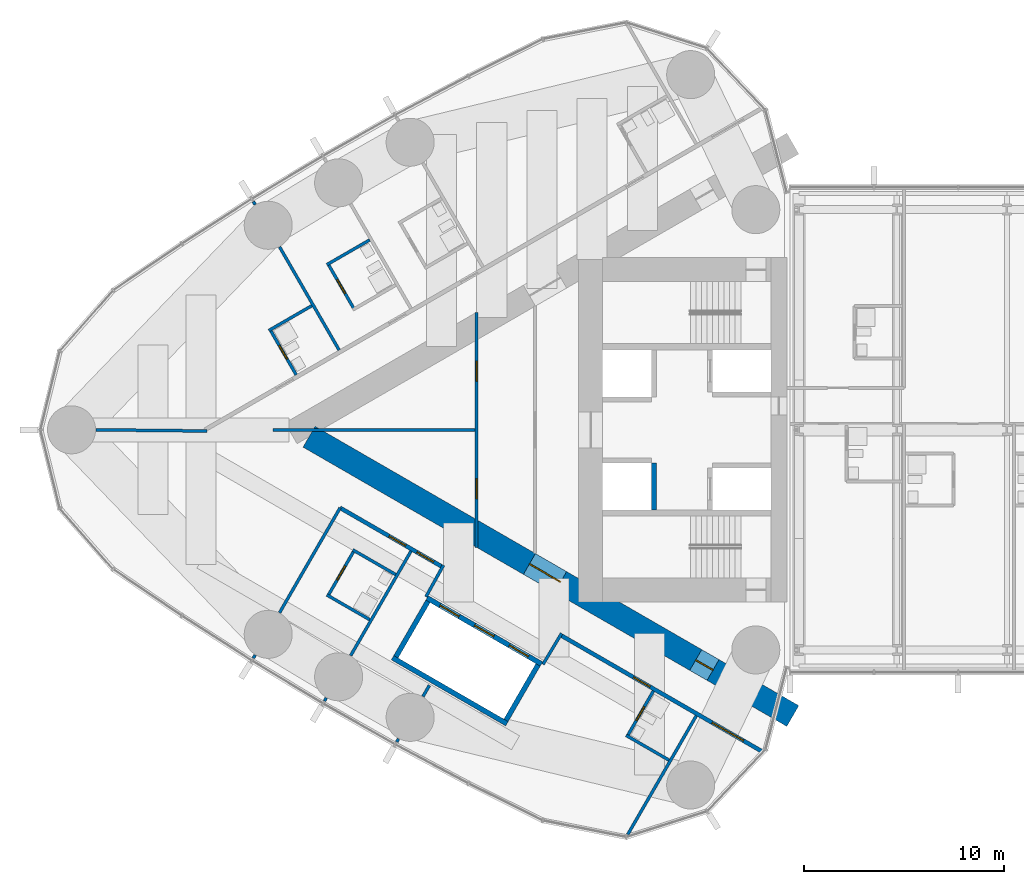
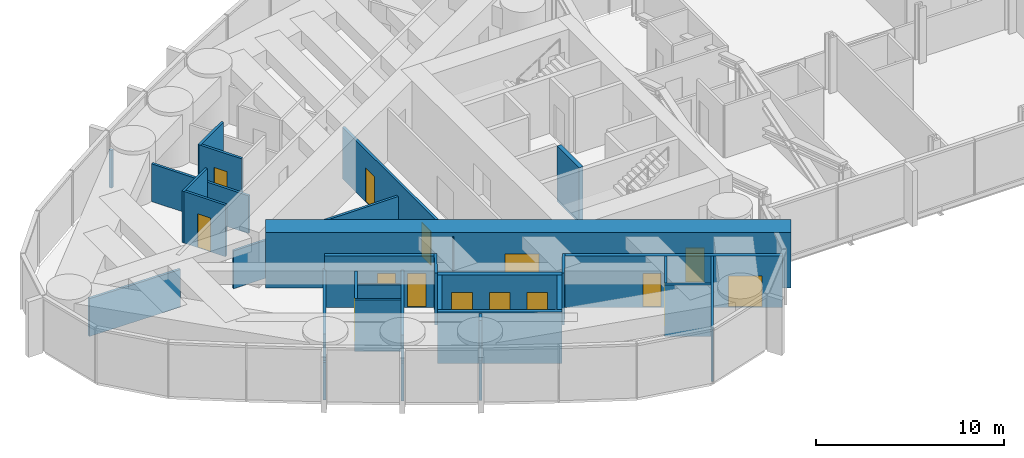
# One storey, part 15 of 23: 31 walls, 15 doors, 15 openings.
"""IFC4 building model written with IfcOpenShell, lengths in metres."""

from ifc_helpers import new_model, si_unit, direction, frame, frame_2d, origin, place, context, subcontext, project, spatial, rectangle, extrude, material, layer, layer_set, type_object, element, fill, save


model = new_model("IFC4")

# Units and contexts
model_context = context("Model", 3, precision=1e-05, world=origin(), true_north=direction((0.0, 1.0)))
body_context = subcontext(model_context, "Body", "Model", "MODEL_VIEW")
ifc_project = project(units=[si_unit("LENGTHUNIT", "METRE"), si_unit("AREAUNIT", "SQUARE_METRE"), si_unit("VOLUMEUNIT", "CUBIC_METRE"), si_unit("PLANEANGLEUNIT", "RADIAN"), si_unit("MASSUNIT", "GRAM", prefix="KILO")], contexts=[model_context])

# Site, building, storey
site_placement = place(None, origin())
site = spatial("IfcSite", under=ifc_project, at=site_placement, CompositionType="ELEMENT")
building_placement = place(site_placement, origin())
building = spatial("IfcBuilding", under=site, at=building_placement, Name="Lancet Gate Hotel", CompositionType="ELEMENT")
storey_placement = place(building_placement, frame((0.0, 0.0, 240.5)))
storey = spatial("IfcBuildingStorey", under=building, at=storey_placement, Name="L64", CompositionType="ELEMENT", Elevation=240.5)

# Wall
ifc_material_1 = material(Name="Moisture resistant board partition")
ifc_layer_1 = layer(ifc_material_1, 0.14990234375)
ifc_layer_set_1 = layer_set([ifc_layer_1], Name="Bathroom wall 150")
wall_type_1 = type_object("IfcWallType", Name="Bathroom wall 150", PredefinedType="PARTITIONING", material=ifc_layer_set_1)
wall_1_placement = place(storey_placement, frame((-48.338623046875, 9.485595703125, 0.0), z_axis=(0.0, 0.0, 1.0), x_axis=(-0.866006523861, -0.500032699561, 0.0)))
element("IfcWall", 1, at=wall_1_placement, inside=storey, type_object=wall_type_1, Name="T1 bathroom wall 150 L64", PredefinedType="PARTITIONING", context=body_context, shape_type="SweptSolid", body=[
    extrude(rectangle(XDim=2.474853515625, YDim=0.14990234375, at=frame_2d((1.2373046875, 0.0))), origin(), (0.0, 0.0, 1.0), 3.35009765625),
])

# Wall, opening, door
wall_2_placement = place(storey_placement, frame((-49.116943359375, 6.033935546875, 0.0), z_axis=(0.0, 0.0, 1.0), x_axis=(-0.500006934395, 0.866021400173, 0.0)))
wall_2 = element("IfcWall", 2, at=wall_2_placement, inside=storey, type_object=wall_type_1, Name="T1 bathroom wall 150 L64", PredefinedType="PARTITIONING", context=body_context, shape_type="SweptSolid", body=[
    extrude(rectangle(XDim=2.60009765625, YDim=0.14990234375, at=frame_2d((1.300048828125, 0.0))), origin(), (0.0, 0.0, 1.0), 3.35009765625),
])
opening_1_placement = place(wall_2_placement, frame((0.89990234375, 0.0, 0.0)))
opening_1 = element("IfcOpeningElement", 3, at=opening_1_placement, cuts=wall_2, Name="Opening 6404-B", PredefinedType="OPENING", context=body_context, shape_type="SweptSolid", body=[
    extrude(rectangle(XDim=0.800048828125, YDim=2.199951171875, at=frame_2d((0.39990234375, 1.10009765625))), frame((0.0, 0.0849609375, 0.0), z_axis=(0.0, -1.0, 0.0), x_axis=(1.0, 0.0, 0.0)), (0.0, 0.0, 1.0), 0.169921875),
])
ifc_material_2 = material(Name="Timber door set", Category="wood")
door_type_1 = type_object("IfcDoorType", Name="Bathroom door 800", OperationType="SINGLE_SWING_RIGHT", PredefinedType="DOOR", material=ifc_material_2)
door_1_placement = place(opening_1_placement, origin())
door_1 = element("IfcDoor", 4, at=door_1_placement, inside=storey, type_object=door_type_1, Name="6404-B", OperationType="SINGLE_SWING_RIGHT", OverallHeight=2.199951171875, OverallWidth=0.800048828125, PredefinedType="DOOR", context=body_context, shape_type="SweptSolid", body=[
    extrude(rectangle(XDim=0.800048828125, YDim=2.199951171875, at=frame_2d((0.39990234375, 1.10009765625))), frame((0.0, 0.02490234375, 0.0), z_axis=(0.0, -1.0, 0.0), x_axis=(1.0, 0.0, 0.0)), (0.0, 0.0, 1.0), 0.050048828125),
])
fill(opening_1, door_1)

# Wall
wall_3_placement = place(storey_placement, frame((-51.231201171875, 6.198974609375, 0.0), z_axis=(0.0, 0.0, 1.0), x_axis=(-0.866031185235, -0.4999899861, 0.0)))
element("IfcWall", 5, at=wall_3_placement, inside=storey, type_object=wall_type_1, Name="T1 bathroom wall 150 L64", PredefinedType="PARTITIONING", context=body_context, shape_type="SweptSolid", body=[
    extrude(rectangle(XDim=2.47509765625, YDim=0.14990234375, at=frame_2d((1.237548828125, 0.0))), origin(), (0.0, 0.0, 1.0), 3.35009765625),
])

# Wall, opening, door
wall_4_placement = place(storey_placement, frame((-52.009765625, 2.747314453125, 0.0), z_axis=(0.0, 0.0, 1.0), x_axis=(-0.500006934395, 0.866021400173, 0.0)))
wall_4 = element("IfcWall", 6, at=wall_4_placement, inside=storey, type_object=wall_type_1, Name="T1 bathroom wall 150 L64", PredefinedType="PARTITIONING", context=body_context, shape_type="SweptSolid", body=[
    extrude(rectangle(XDim=2.60009765625, YDim=0.14990234375, at=frame_2d((1.300048828125, 0.0))), origin(), (0.0, 0.0, 1.0), 3.35009765625),
])
opening_2_placement = place(wall_4_placement, frame((0.89990234375, 0.0, 0.0)))
opening_2 = element("IfcOpeningElement", 7, at=opening_2_placement, cuts=wall_4, Name="Opening 6405-B", PredefinedType="OPENING", context=body_context, shape_type="SweptSolid", body=[
    extrude(rectangle(XDim=0.800048828125, YDim=2.199951171875, at=frame_2d((0.39990234375, 1.10009765625))), frame((0.0, 0.0849609375, 0.0), z_axis=(0.0, -1.0, 0.0), x_axis=(1.0, 0.0, 0.0)), (0.0, 0.0, 1.0), 0.169921875),
])
door_2_placement = place(opening_2_placement, origin())
door_2 = element("IfcDoor", 8, at=door_2_placement, inside=storey, type_object=door_type_1, Name="6405-B", OperationType="SINGLE_SWING_RIGHT", OverallHeight=2.199951171875, OverallWidth=0.800048828125, PredefinedType="DOOR", context=body_context, shape_type="SweptSolid", body=[
    extrude(rectangle(XDim=0.800048828125, YDim=2.199951171875, at=frame_2d((0.39990234375, 1.10009765625))), frame((0.0, 0.02490234375, 0.0), z_axis=(0.0, -1.0, 0.0), x_axis=(1.0, 0.0, 0.0)), (0.0, 0.0, 1.0), 0.050048828125),
])
fill(opening_2, door_2)

# Wall
wall_5_placement = place(storey_placement, frame((-48.338623046875, -9.485595703125, 0.0), z_axis=(0.0, 0.0, 1.0), x_axis=(-0.866006523861, 0.500032699561, 0.0)))
element("IfcWall", 9, at=wall_5_placement, inside=storey, type_object=wall_type_1, Name="T1 bathroom wall 150 L64", PredefinedType="PARTITIONING", context=body_context, shape_type="SweptSolid", body=[
    extrude(rectangle(XDim=2.474853515625, YDim=0.14990234375, at=frame_2d((1.2373046875, 0.0))), origin(), (0.0, 0.0, 1.0), 3.35009765625),
])

# Wall, opening, door
wall_6_placement = place(storey_placement, frame((-49.116943359375, -6.033935546875, 0.0), z_axis=(0.0, 0.0, 1.0), x_axis=(-0.500006934395, -0.866021400173, 0.0)))
wall_6 = element("IfcWall", 10, at=wall_6_placement, inside=storey, type_object=wall_type_1, Name="T1 bathroom wall 150 L64", PredefinedType="PARTITIONING", context=body_context, shape_type="SweptSolid", body=[
    extrude(rectangle(XDim=2.60009765625, YDim=0.14990234375, at=frame_2d((1.300048828125, 0.0))), origin(), (0.0, 0.0, 1.0), 3.35009765625),
])
opening_3_placement = place(wall_6_placement, frame((0.89990234375, 0.0, 0.0)))
opening_3 = element("IfcOpeningElement", 11, at=opening_3_placement, cuts=wall_6, Name="Opening 6407-B", PredefinedType="OPENING", context=body_context, shape_type="SweptSolid", body=[
    extrude(rectangle(XDim=0.800048828125, YDim=2.199951171875, at=frame_2d((0.39990234375, 1.10009765625))), frame((0.0, 0.0849609375, 0.0), z_axis=(0.0, -1.0, 0.0), x_axis=(1.0, 0.0, 0.0)), (0.0, 0.0, 1.0), 0.169921875),
])
door_3_placement = place(opening_3_placement, origin())
door_3 = element("IfcDoor", 12, at=door_3_placement, inside=storey, type_object=door_type_1, Name="6407-B", OperationType="SINGLE_SWING_RIGHT", OverallHeight=2.199951171875, OverallWidth=0.800048828125, PredefinedType="DOOR", context=body_context, shape_type="SweptSolid", body=[
    extrude(rectangle(XDim=0.800048828125, YDim=2.199951171875, at=frame_2d((0.39990234375, 1.10009765625))), frame((0.0, 0.02490234375, 0.0), z_axis=(0.0, -1.0, 0.0), x_axis=(1.0, 0.0, 0.0)), (0.0, 0.0, 1.0), 0.050048828125),
])
fill(opening_3, door_3)

# Walls
wall_7_placement = place(storey_placement, frame((-47.03857421875, -7.23388671875, 0.0), z_axis=(0.0, 0.0, 1.0), x_axis=(-0.866073894602, 0.499916002032, 0.0)))
element("IfcWall", 13, at=wall_7_placement, inside=storey, type_object=wall_type_1, Name="T1 bathroom wall 150 L64", PredefinedType="PARTITIONING", context=body_context, shape_type="SweptSolid", body=[
    extrude(rectangle(XDim=2.47509765625, YDim=0.14990234375, at=frame_2d((1.237548828125, 0.0))), origin(), (0.0, 0.0, 1.0), 2.5),
])
wall_8_placement = place(storey_placement, frame((-33.38671875, -16.501708984375, 0.0), z_axis=(0.0, 0.0, 1.0), x_axis=(-0.866006523861, 0.500032699561, 0.0)))
element("IfcWall", 14, at=wall_8_placement, inside=storey, type_object=wall_type_1, Name="T1 bathroom wall 150 L64", PredefinedType="PARTITIONING", context=body_context, shape_type="SweptSolid", body=[
    extrude(rectangle(XDim=2.474853515625, YDim=0.14990234375, at=frame_2d((1.2373046875, 0.0))), origin(), (0.0, 0.0, 1.0), 3.35009765625),
])

# Wall, opening, door
wall_9_placement = place(storey_placement, frame((-34.1650390625, -13.050048828125, 0.0), z_axis=(0.0, 0.0, 1.0), x_axis=(-0.500047596559, -0.865997922154, 0.0)))
wall_9 = element("IfcWall", 15, at=wall_9_placement, inside=storey, type_object=wall_type_1, Name="T1 bathroom wall 150 L64", PredefinedType="PARTITIONING", context=body_context, shape_type="SweptSolid", body=[
    extrude(rectangle(XDim=2.599853515625, YDim=0.14990234375, at=frame_2d((1.2998046875, 0.0))), origin(), (0.0, 0.0, 1.0), 3.35009765625),
])
opening_4_placement = place(wall_9_placement, frame((0.89990234375, 0.0, 0.0)))
opening_4 = element("IfcOpeningElement", 16, at=opening_4_placement, cuts=wall_9, Name="Opening 6409-B", PredefinedType="OPENING", context=body_context, shape_type="SweptSolid", body=[
    extrude(rectangle(XDim=0.800048828125, YDim=2.199951171875, at=frame_2d((0.39990234375, 1.10009765625))), frame((0.0, 0.0849609375, 0.0), z_axis=(0.0, -1.0, 0.0), x_axis=(1.0, 0.0, 0.0)), (0.0, 0.0, 1.0), 0.169921875),
])
door_4_placement = place(opening_4_placement, origin())
door_4 = element("IfcDoor", 17, at=door_4_placement, inside=storey, type_object=door_type_1, Name="6409-B", OperationType="SINGLE_SWING_RIGHT", OverallHeight=2.199951171875, OverallWidth=0.800048828125, PredefinedType="DOOR", context=body_context, shape_type="SweptSolid", body=[
    extrude(rectangle(XDim=0.800048828125, YDim=2.199951171875, at=frame_2d((0.39990234375, 1.10009765625))), frame((0.0, 0.02490234375, 0.0), z_axis=(0.0, -1.0, 0.0), x_axis=(1.0, 0.0, 0.0)), (0.0, 0.0, 1.0), 0.050048828125),
])
fill(opening_4, door_4)

# Wall, openings, doors
ifc_material_3 = material(Name="Concrete C70/85", Category="concrete")
ifc_layer_2 = layer(ifc_material_3, 1.199951171875)
ifc_layer_set_2 = layer_set([ifc_layer_2], Name="Buttress wall 1200")
wall_type_2 = type_object("IfcWallType", Name="Buttress wall 1200", PredefinedType="SHEAR", material=ifc_layer_set_2)
wall_10_placement = place(storey_placement, frame((-27.199951171875, -14.300048828125, 0.0), z_axis=(0.0, 0.0, 1.0), x_axis=(-0.866024021859, 0.500002393557, 0.0)))
wall_10 = element("IfcWall", 18, at=wall_10_placement, inside=storey, type_object=wall_type_2, Name="T1 buttress wall N L64", PredefinedType="SHEAR", context=body_context, shape_type="SweptSolid", body=[
    extrude(rectangle(XDim=27.906982421875, YDim=1.199951171875, at=frame_2d((13.95361328125, 0.0))), origin(), (0.0, 0.0, 1.0), 3.60009765625),
])
opening_5_placement = place(wall_10_placement, frame((4.60009765625, 0.0, 0.0)))
opening_5 = element("IfcOpeningElement", 19, at=opening_5_placement, cuts=wall_10, Name="Opening T1-L64-LN", PredefinedType="OPENING", context=body_context, shape_type="SweptSolid", body=[
    extrude(rectangle(XDim=1.0, YDim=2.199951171875, at=frame_2d((0.5, 1.10009765625))), frame((0.0, 0.60986328125, 0.0), z_axis=(0.0, -1.0, 0.0), x_axis=(1.0, 0.0, 0.0)), (0.0, 0.0, 1.0), 1.219970703125),
])
opening_6_placement = place(wall_10_placement, frame((13.39453125, 0.0, 0.0)))
opening_6 = element("IfcOpeningElement", 20, at=opening_6_placement, cuts=wall_10, Name="Opening T1-L64-LHN", PredefinedType="OPENING", context=body_context, shape_type="SweptSolid", body=[
    extrude(rectangle(XDim=1.800048828125, YDim=2.199951171875, at=frame_2d((0.89990234375, 1.10009765625))), frame((0.0, 0.60986328125, 0.0), z_axis=(0.0, -1.0, 0.0), x_axis=(1.0, 0.0, 0.0)), (0.0, 0.0, 1.0), 1.219970703125),
])
ifc_material_4 = material(Name="Timber door set", Category="wood")
door_type_2 = type_object("IfcDoorType", Name="Lobby double door 1800", OperationType="DOUBLE_DOOR_SINGLE_SWING", PredefinedType="DOOR", material=ifc_material_4)
door_5_placement = place(opening_6_placement, origin())
door_5 = element("IfcDoor", 21, at=door_5_placement, inside=storey, type_object=door_type_2, Name="T1-L64-LHN", OperationType="DOUBLE_DOOR_SINGLE_SWING", OverallHeight=2.199951171875, OverallWidth=1.800048828125, PredefinedType="DOOR", context=body_context, shape_type="SweptSolid", body=[
    extrude(rectangle(XDim=1.800048828125, YDim=2.199951171875, at=frame_2d((0.89990234375, 1.10009765625))), frame((0.0, 0.02490234375, 0.0), z_axis=(0.0, -1.0, 0.0), x_axis=(1.0, 0.0, 0.0)), (0.0, 0.0, 1.0), 0.050048828125),
])
fill(opening_6, door_5)
ifc_material_5 = material(Name="Timber door set", Category="wood")
door_type_3 = type_object("IfcDoorType", Name="Stair lobby door 1000", OperationType="SINGLE_SWING_LEFT", PredefinedType="DOOR", material=ifc_material_5)
door_6_placement = place(opening_5_placement, origin())
door_6 = element("IfcDoor", 22, at=door_6_placement, inside=storey, type_object=door_type_3, Name="T1-L64-LN", OperationType="SINGLE_SWING_LEFT", OverallHeight=2.199951171875, OverallWidth=1.0, PredefinedType="DOOR", context=body_context, shape_type="SweptSolid", body=[
    extrude(rectangle(XDim=1.0, YDim=2.199951171875, at=frame_2d((0.5, 1.10009765625))), frame((0.0, 0.02490234375, 0.0), z_axis=(0.0, -1.0, 0.0), x_axis=(1.0, 0.0, 0.0)), (0.0, 0.0, 1.0), 0.050048828125),
])
fill(opening_5, door_6)

ifc_material_6 = material(Name="Gypsum board partition")
ifc_layer_3 = layer(ifc_material_6, 0.199951171875)
ifc_layer_set_3 = layer_set([ifc_layer_3], Name="Corridor wall 200")
wall_type_3 = type_object("IfcWallType", Name="Corridor wall 200", PredefinedType="PARTITIONING", material=ifc_layer_set_3)
wall_11_placement = place(storey_placement, frame((-28.737060546875, -16.068359375, 0.0), z_axis=(0.0, 0.0, 1.0), x_axis=(-0.866029399323, 0.49999307946, 0.0)))
wall_11 = element("IfcWall", 23, at=wall_11_placement, inside=storey, type_object=wall_type_3, Name="T1 corridor wall 200 L64", PredefinedType="PARTITIONING", context=body_context, shape_type="SweptSolid", body=[
    extrude(rectangle(XDim=11.609619140625, YDim=0.199951171875, at=frame_2d((5.8046875, 0.0))), origin(), (0.0, 0.0, 1.0), 3.35009765625),
])
opening_7_placement = place(wall_11_placement, frame((1.080078125, 0.0, 0.0)))
opening_7 = element("IfcOpeningElement", 24, at=opening_7_placement, cuts=wall_11, Name="Opening 6410-E", PredefinedType="OPENING", context=body_context, shape_type="SweptSolid", body=[
    extrude(rectangle(XDim=1.800048828125, YDim=2.030029296875, at=frame_2d((0.89990234375, 1.01513671875))), frame((0.0, 0.10986328125, 0.0), z_axis=(0.0, -1.0, 0.0), x_axis=(1.0, 0.0, 0.0)), (0.0, 0.0, 1.0), 0.219970703125),
])
opening_8_placement = place(wall_11_placement, frame((6.460205078125, 0.0, 0.0)))
opening_8 = element("IfcOpeningElement", 25, at=opening_8_placement, cuts=wall_11, Name="Opening 6409-E", PredefinedType="OPENING", context=body_context, shape_type="SweptSolid", body=[
    extrude(rectangle(XDim=0.949951171875, YDim=2.199951171875, at=frame_2d((0.47509765625, 1.10009765625))), frame((0.0, 0.10986328125, 0.0), z_axis=(0.0, -1.0, 0.0), x_axis=(1.0, 0.0, 0.0)), (0.0, 0.0, 1.0), 0.219970703125),
])
ifc_material_7 = material(Name="Timber door set", Category="wood")
door_type_4 = type_object("IfcDoorType", Name="Double door 1800, 2030 high", OperationType="DOUBLE_DOOR_SINGLE_SWING", PredefinedType="DOOR", material=ifc_material_7)
door_7_placement = place(opening_7_placement, origin())
door_7 = element("IfcDoor", 26, at=door_7_placement, inside=storey, type_object=door_type_4, Name="6410-E", OperationType="DOUBLE_DOOR_SINGLE_SWING", OverallHeight=2.030029296875, OverallWidth=1.800048828125, PredefinedType="DOOR", context=body_context, shape_type="SweptSolid", body=[
    extrude(rectangle(XDim=1.800048828125, YDim=2.030029296875, at=frame_2d((0.89990234375, 1.01513671875))), frame((0.0, 0.02490234375, 0.0), z_axis=(0.0, -1.0, 0.0), x_axis=(1.0, 0.0, 0.0)), (0.0, 0.0, 1.0), 0.050048828125),
])
fill(opening_7, door_7)
ifc_material_8 = material(Name="Timber door set", Category="wood")
door_type_5 = type_object("IfcDoorType", Name="Guest room entry door 950", OperationType="SINGLE_SWING_LEFT", PredefinedType="DOOR", material=ifc_material_8)
door_8_placement = place(opening_8_placement, origin())
door_8 = element("IfcDoor", 27, at=door_8_placement, inside=storey, type_object=door_type_5, Name="6409-E", OperationType="SINGLE_SWING_LEFT", OverallHeight=2.199951171875, OverallWidth=0.949951171875, PredefinedType="DOOR", context=body_context, shape_type="SweptSolid", body=[
    extrude(rectangle(XDim=0.949951171875, YDim=2.199951171875, at=frame_2d((0.47509765625, 1.10009765625))), frame((0.0, 0.02490234375, 0.0), z_axis=(0.0, -1.0, 0.0), x_axis=(1.0, 0.0, 0.0)), (0.0, 0.0, 1.0), 0.050048828125),
])
fill(opening_8, door_8)

wall_12_placement = place(storey_placement, frame((-44.715087890625, -6.843505859375, 0.0), z_axis=(0.0, 0.0, 1.0), x_axis=(-0.866020627653, 0.50000827241, 0.0)))
wall_12 = element("IfcWall", 28, at=wall_12_placement, inside=storey, type_object=wall_type_3, Name="T1 corridor wall 200 L64", PredefinedType="PARTITIONING", context=body_context, shape_type="SweptSolid", body=[
    extrude(rectangle(XDim=5.890625, YDim=0.199951171875, at=frame_2d((2.9453125, 0.0))), origin(), (0.0, 0.0, 1.0), 3.35009765625),
])
opening_9_placement = place(wall_12_placement, frame((2.116943359375, 0.0, 0.0)))
opening_9 = element("IfcOpeningElement", 29, at=opening_9_placement, cuts=wall_12, Name="Opening 6407-E", PredefinedType="OPENING", context=body_context, shape_type="SweptSolid", body=[
    extrude(rectangle(XDim=0.949951171875, YDim=2.199951171875, at=frame_2d((0.47509765625, 1.10009765625))), frame((0.0, 0.10986328125, 0.0), z_axis=(0.0, -1.0, 0.0), x_axis=(1.0, 0.0, 0.0)), (0.0, 0.0, 1.0), 0.219970703125),
])
opening_10_placement = place(wall_12_placement, frame((0.5, 0.0, 0.0)))
opening_10 = element("IfcOpeningElement", 30, at=opening_10_placement, cuts=wall_12, Name="Opening T1-L64-LO1", PredefinedType="OPENING", context=body_context, shape_type="SweptSolid", body=[
    extrude(rectangle(XDim=0.967041015625, YDim=2.199951171875, at=frame_2d((0.4833984375, 1.10009765625))), frame((0.0, 0.10986328125, 0.0), z_axis=(0.0, -1.0, 0.0), x_axis=(1.0, 0.0, 0.0)), (0.0, 0.0, 1.0), 0.219970703125),
])
door_9_placement = place(opening_9_placement, origin())
door_9 = element("IfcDoor", 31, at=door_9_placement, inside=storey, type_object=door_type_5, Name="6407-E", OperationType="SINGLE_SWING_LEFT", OverallHeight=2.199951171875, OverallWidth=0.949951171875, PredefinedType="DOOR", context=body_context, shape_type="SweptSolid", body=[
    extrude(rectangle(XDim=0.949951171875, YDim=2.199951171875, at=frame_2d((0.47509765625, 1.10009765625))), frame((0.0, 0.02490234375, 0.0), z_axis=(0.0, -1.0, 0.0), x_axis=(1.0, 0.0, 0.0)), (0.0, 0.0, 1.0), 0.050048828125),
])
fill(opening_9, door_9)
door_10_placement = place(opening_10_placement, origin())
door_10 = element("IfcDoor", 32, at=door_10_placement, inside=storey, type_object=door_type_5, Name="T1-L64-LO1", OperationType="SINGLE_SWING_LEFT", OverallHeight=2.199951171875, OverallWidth=0.967041015625, PredefinedType="DOOR", context=body_context, shape_type="SweptSolid", body=[
    extrude(rectangle(XDim=0.967041015625, YDim=2.199951171875, at=frame_2d((0.4833984375, 1.10009765625))), frame((0.0, 0.02490234375, 0.0), z_axis=(0.0, -1.0, 0.0), x_axis=(1.0, 0.0, 0.0)), (0.0, 0.0, 1.0), 0.050048828125),
])
fill(opening_10, door_10)

ifc_material_9 = material(Name="Gypsum board partition")
ifc_layer_4 = layer(ifc_material_9, 0.25)
ifc_layer_set_4 = layer_set([ifc_layer_4], Name="Lift shaft partition 250")
wall_type_4 = type_object("IfcWallType", Name="Lift shaft partition 250", PredefinedType="PARTITIONING", material=ifc_layer_set_4)
wall_13_placement = place(storey_placement, frame((-39.757568359375, -11.697265625, 0.0), z_axis=(0.0, 0.0, 1.0), x_axis=(-0.866024194504, 0.500002094529, 0.0)))
wall_13 = element("IfcWall", 33, at=wall_13_placement, inside=storey, type_object=wall_type_4, Name="T1 lift shaft wall HL L64", PredefinedType="PARTITIONING", context=body_context, shape_type="SweptSolid", body=[
    extrude(rectangle(XDim=6.60009765625, YDim=0.25, at=frame_2d((3.300048828125, 0.0))), origin(), (0.0, 0.0, 1.0), 3.35009765625),
])
opening_11_placement = place(wall_13_placement, frame((0.75, 0.0, 0.0)))
opening_11 = element("IfcOpeningElement", 34, at=opening_11_placement, cuts=wall_13, Name="Opening T1-HL1-L64", PredefinedType="OPENING", context=body_context, shape_type="SweptSolid", body=[
    extrude(rectangle(XDim=1.10009765625, YDim=2.199951171875, at=frame_2d((0.550048828125, 1.10009765625))), frame((0.0, 0.135009765625, 0.0), z_axis=(0.0, -1.0, 0.0), x_axis=(1.0, 0.0, 0.0)), (0.0, 0.0, 1.0), 0.27001953125),
])
opening_12_placement = place(wall_13_placement, frame((2.75, 0.0, 0.0)))
opening_12 = element("IfcOpeningElement", 35, at=opening_12_placement, cuts=wall_13, Name="Opening T1-HL2-L64", PredefinedType="OPENING", context=body_context, shape_type="SweptSolid", body=[
    extrude(rectangle(XDim=1.10009765625, YDim=2.199951171875, at=frame_2d((0.550048828125, 1.10009765625))), frame((0.0, 0.135009765625, 0.0), z_axis=(0.0, -1.0, 0.0), x_axis=(1.0, 0.0, 0.0)), (0.0, 0.0, 1.0), 0.27001953125),
])
opening_13_placement = place(wall_13_placement, frame((4.75, 0.0, 0.0)))
opening_13 = element("IfcOpeningElement", 36, at=opening_13_placement, cuts=wall_13, Name="Opening T1-HL3-L64", PredefinedType="OPENING", context=body_context, shape_type="SweptSolid", body=[
    extrude(rectangle(XDim=1.10009765625, YDim=2.199951171875, at=frame_2d((0.550048828125, 1.10009765625))), frame((0.0, 0.135009765625, 0.0), z_axis=(0.0, -1.0, 0.0), x_axis=(1.0, 0.0, 0.0)), (0.0, 0.0, 1.0), 0.27001953125),
])
ifc_material_10 = material(Name="Steel door set", Category="steel")
door_type_6 = type_object("IfcDoorType", Name="Lift landing door 1100", OperationType="DOUBLE_DOOR_SLIDING", PredefinedType="USERDEFINED", material=ifc_material_10)
door_11_placement = place(opening_11_placement, origin())
door_11 = element("IfcDoor", 37, at=door_11_placement, inside=storey, type_object=door_type_6, Name="T1-HL1-L64", ObjectType="LIFT LANDING DOOR", OperationType="DOUBLE_DOOR_SLIDING", OverallHeight=2.199951171875, OverallWidth=1.10009765625, PredefinedType="USERDEFINED", context=body_context, shape_type="SweptSolid", body=[
    extrude(rectangle(XDim=1.10009765625, YDim=2.199951171875, at=frame_2d((0.550048828125, 1.10009765625))), frame((0.0, 0.02490234375, 0.0), z_axis=(0.0, -1.0, 0.0), x_axis=(1.0, 0.0, 0.0)), (0.0, 0.0, 1.0), 0.050048828125),
])
fill(opening_11, door_11)
door_12_placement = place(opening_12_placement, origin())
door_12 = element("IfcDoor", 38, at=door_12_placement, inside=storey, type_object=door_type_6, Name="T1-HL2-L64", ObjectType="LIFT LANDING DOOR", OperationType="DOUBLE_DOOR_SLIDING", OverallHeight=2.199951171875, OverallWidth=1.10009765625, PredefinedType="USERDEFINED", context=body_context, shape_type="SweptSolid", body=[
    extrude(rectangle(XDim=1.10009765625, YDim=2.199951171875, at=frame_2d((0.550048828125, 1.10009765625))), frame((0.0, 0.02490234375, 0.0), z_axis=(0.0, -1.0, 0.0), x_axis=(1.0, 0.0, 0.0)), (0.0, 0.0, 1.0), 0.050048828125),
])
fill(opening_12, door_12)
door_13_placement = place(opening_13_placement, origin())
door_13 = element("IfcDoor", 39, at=door_13_placement, inside=storey, type_object=door_type_6, Name="T1-HL3-L64", ObjectType="LIFT LANDING DOOR", OperationType="DOUBLE_DOOR_SLIDING", OverallHeight=2.199951171875, OverallWidth=1.10009765625, PredefinedType="USERDEFINED", context=body_context, shape_type="SweptSolid", body=[
    extrude(rectangle(XDim=1.10009765625, YDim=2.199951171875, at=frame_2d((0.550048828125, 1.10009765625))), frame((0.0, 0.02490234375, 0.0), z_axis=(0.0, -1.0, 0.0), x_axis=(1.0, 0.0, 0.0)), (0.0, 0.0, 1.0), 0.050048828125),
])
fill(opening_13, door_13)

# Walls
wall_14_placement = place(storey_placement, frame((-41.482421875, -14.685791015625, 0.0), z_axis=(0.0, 0.0, 1.0), x_axis=(-0.86603344179, 0.499986077507, 0.0)))
element("IfcWall", 40, at=wall_14_placement, inside=storey, type_object=wall_type_4, Name="T1 lift shaft wall HL L64", PredefinedType="PARTITIONING", context=body_context, shape_type="SweptSolid", body=[
    extrude(rectangle(XDim=6.600341796875, YDim=0.25, at=frame_2d((3.30029296875, 0.0))), origin(), (0.0, 0.0, 1.0), 3.35009765625),
])
for number, where, z_axis, x_axis, name in (
    (41, (-39.92822265625, -11.742919921875, 0.0), (0.0, 0.0, 1.0), (-0.499929347863, -0.866066190972, 0.0), "T1 lift shaft wall HL L64"),
    (42, (-45.427734375, -8.568115234375, 0.0), (0.0, 0.0, 1.0), (-0.499929347863, -0.866066190972, 0.0), "T1 lift shaft wall HL L64"),
):
    element("IfcWall", number, at=place(storey_placement, frame(where, z_axis=z_axis, x_axis=x_axis)), inside=storey, type_object=wall_type_4, Name=name, PredefinedType="PARTITIONING", context=body_context, shape_type="SweptSolid", body=[
        extrude(rectangle(XDim=3.20068359375, YDim=0.25, at=frame_2d((1.600341796875, 0.0))), origin(), (0.0, 0.0, 1.0), 3.35009765625),
    ])
ifc_material_11 = material(Name="Concrete C50/60", Category="concrete")
ifc_layer_5 = layer(ifc_material_11, 0.25)
ifc_layer_set_5 = layer_set([ifc_layer_5], Name="Lift shaft wall 250")
wall_type_5 = type_object("IfcWallType", Name="Lift shaft wall 250", PredefinedType="SHEAR", material=ifc_layer_set_5)
wall_15_placement = place(storey_placement, frame((-34.125, -1.64990234375, 0.0), z_axis=(0.0, 0.0, 1.0), x_axis=(0.0, -1.0, 0.0)))
element("IfcWall", 43, at=wall_15_placement, inside=storey, type_object=wall_type_5, Name="T1 core wall row2-N L64", PredefinedType="SHEAR", context=body_context, shape_type="SweptSolid", body=[
    extrude(rectangle(XDim=2.35009765625, YDim=0.25, at=frame_2d((1.175048828125, 0.0))), origin(), (0.0, 0.0, 1.0), 3.60009765625),
])
ifc_material_12 = material(Name="Gypsum board partition")
ifc_layer_6 = layer(ifc_material_12, 0.14990234375)
ifc_layer_set_6 = layer_set([ifc_layer_6], Name="Party wall 150")
wall_type_6 = type_object("IfcWallType", Name="Party wall 150", PredefinedType="PARTITIONING", material=ifc_layer_set_6)
wall_16_placement = place(storey_placement, frame((-49.866455078125, 3.98486328125, 0.0), z_axis=(0.0, 0.0, 1.0), x_axis=(-0.500000694566, 0.866025002776, 0.0)))
element("IfcWall", 44, at=wall_16_placement, inside=storey, type_object=wall_type_6, Name="T1 party wall 150 L64", PredefinedType="PARTITIONING", context=body_context, shape_type="SweptSolid", body=[
    extrude(rectangle(XDim=5.94970703125, YDim=0.14990234375, at=frame_2d((2.974853515625, 0.0))), origin(), (0.0, 0.0, 1.0), 2.449951171875),
])
wall_17_placement = place(storey_placement, frame((-54.061279296875, 11.25048828125, 0.0), z_axis=(0.0, 0.0, 1.0), x_axis=(-0.500391173478, 0.865799441849, 0.0)))
element("IfcWall", 45, at=wall_17_placement, inside=storey, type_object=wall_type_6, Name="T1 party wall 150 L64", PredefinedType="PARTITIONING", context=body_context, shape_type="SweptSolid", body=[
    extrude(rectangle(XDim=0.178955078125, YDim=0.14990234375, at=frame_2d((0.08935546875, 0.0))), origin(), (0.0, 0.0, 1.0), 2.449951171875),
])
wall_18_placement = place(storey_placement, frame((-32.021728515625, -14.287353515625, 0.0), z_axis=(0.0, 0.0, 1.0), x_axis=(-0.50000019414, -0.866025291697, 0.0)))
element("IfcWall", 46, at=wall_18_placement, inside=storey, type_object=wall_type_6, Name="T1 party wall 150 L64", PredefinedType="PARTITIONING", context=body_context, shape_type="SweptSolid", body=[
    extrude(rectangle(XDim=6.84814453125, YDim=0.14990234375, at=frame_2d((3.424072265625, 0.0))), origin(), (0.0, 0.0, 1.0), 3.35009765625),
])
wall_19_placement = place(storey_placement, frame((-46.89794921875, -15.438720703125, 0.0), z_axis=(0.0, 0.0, 1.0), x_axis=(-0.500232303069, -0.865891241997, 0.0)))
element("IfcWall", 47, at=wall_19_placement, inside=storey, type_object=wall_type_6, Name="T1 party wall 150 L64", PredefinedType="PARTITIONING", context=body_context, shape_type="SweptSolid", body=[
    extrude(rectangle(XDim=0.1796875, YDim=0.14990234375, at=frame_2d((0.08984375, 0.0))), origin(), (0.0, 0.0, 1.0), 2.449951171875),
])
wall_20_placement = place(storey_placement, frame((-46.273681640625, -6.05908203125, 0.0), z_axis=(0.0, 0.0, 1.0), x_axis=(-0.500020471368, -0.866013584312, 0.0)))
element("IfcWall", 48, at=wall_20_placement, inside=storey, type_object=wall_type_6, Name="T1 party wall 150 L64", PredefinedType="PARTITIONING", context=body_context, shape_type="SweptSolid", body=[
    extrude(rectangle(XDim=6.027587890625, YDim=0.14990234375, at=frame_2d((3.013671875, 0.0))), origin(), (0.0, 0.0, 1.0), 2.449951171875),
])
wall_21_placement = place(storey_placement, frame((-50.507568359375, -13.392333984375, 0.0), z_axis=(0.0, 0.0, 1.0), x_axis=(-0.499644091975, -0.866230789891, 0.0)))
element("IfcWall", 49, at=wall_21_placement, inside=storey, type_object=wall_type_6, Name="T1 party wall 150 L64", PredefinedType="PARTITIONING", context=body_context, shape_type="SweptSolid", body=[
    extrude(rectangle(XDim=0.179931640625, YDim=0.14990234375, at=frame_2d((0.08984375, 0.0))), origin(), (0.0, 0.0, 1.0), 2.449951171875),
])
wall_22_placement = place(storey_placement, frame((-49.81640625, -3.898193359375, 0.0), z_axis=(0.0, 0.0, 1.0), x_axis=(-0.500001913541, -0.866024298998, 0.0)))
element("IfcWall", 50, at=wall_22_placement, inside=storey, type_object=wall_type_6, Name="T1 party wall 150 L64", PredefinedType="PARTITIONING", context=body_context, shape_type="SweptSolid", body=[
    extrude(rectangle(XDim=6.0498046875, YDim=0.14990234375, at=frame_2d((3.02490234375, 0.0))), origin(), (0.0, 0.0, 1.0), 2.449951171875),
])
wall_23_placement = place(storey_placement, frame((-54.061279296875, -11.25048828125, 0.0), z_axis=(0.0, 0.0, 1.0), x_axis=(-0.500391173478, -0.865799441849, 0.0)))
element("IfcWall", 51, at=wall_23_placement, inside=storey, type_object=wall_type_6, Name="T1 party wall 150 L64", PredefinedType="PARTITIONING", context=body_context, shape_type="SweptSolid", body=[
    extrude(rectangle(XDim=0.178955078125, YDim=0.14990234375, at=frame_2d((0.08935546875, 0.0))), origin(), (0.0, 0.0, 1.0), 2.449951171875),
])
wall_24_placement = place(storey_placement, frame((-56.46435546875, -0.06005859375, 0.0), z_axis=(0.0, 0.0, 1.0), x_axis=(-0.999941455167, 0.01082063951, 0.0)))
element("IfcWall", 52, at=wall_24_placement, inside=storey, type_object=wall_type_6, Name="T1 party wall 150 L64", PredefinedType="PARTITIONING", context=body_context, shape_type="SweptSolid", body=[
    extrude(rectangle(XDim=5.55029296875, YDim=0.14990234375, at=frame_2d((2.775146484375, 0.0))), origin(), (0.0, 0.0, 1.0), 2.449951171875),
])
wall_25_placement = place(storey_placement, frame((-45.355712890625, -12.767333984375, 0.0), z_axis=(0.0, 0.0, 1.0), x_axis=(-0.499886366516, -0.866091000168, 0.0)))
element("IfcWall", 53, at=wall_25_placement, inside=storey, type_object=wall_type_6, Name="T1 party wall 150 L64", PredefinedType="PARTITIONING", context=body_context, shape_type="SweptSolid", body=[
    extrude(rectangle(XDim=0.644775390625, YDim=0.14990234375, at=frame_2d((0.322265625, 0.0))), origin(), (0.0, 0.0, 1.0), 3.35009765625),
])
ifc_material_13 = material(Name="Gypsum board partition")
ifc_layer_7 = layer(ifc_material_13, 0.14990234375)
ifc_layer_set_7 = layer_set([ifc_layer_7], Name="Service room wall 150")
wall_type_7 = type_object("IfcWallType", Name="Service room wall 150", PredefinedType="PARTITIONING", material=ifc_layer_set_7)
for number, where, z_axis, x_axis, name in (
    (54, (-39.6826171875, -11.717529296875, 0.0), (0.0, 0.0, 1.0), (0.514336634837, 0.857588377991, 0.0), "T1 service room wall 150 L64"),
    (55, (-44.652099609375, -6.764404296875, 0.0), (0.0, 0.0, 1.0), (-0.485424724123, -0.874278466629, 0.0), "T1 service room wall 150 L64"),
):
    element("IfcWall", number, at=place(storey_placement, frame(where, z_axis=z_axis, x_axis=x_axis)), inside=storey, type_object=wall_type_7, Name=name, PredefinedType="PARTITIONING", context=body_context, shape_type="SweptSolid", body=[
        extrude(rectangle(XDim=1.80517578125, YDim=0.14990234375, at=frame_2d((0.902587890625, 0.0))), origin(), (0.0, 0.0, 1.0), 3.35009765625),
    ])

# Wall, openings, doors
wall_26_placement = place(storey_placement, frame((-43.0, 5.87060546875, 0.0), z_axis=(0.0, 0.0, 1.0), x_axis=(0.0, -1.0, 0.0)))
wall_26 = element("IfcWall", 56, at=wall_26_placement, inside=storey, type_object=wall_type_7, Name="T1 service room wall 150 L64", PredefinedType="PARTITIONING", context=body_context, shape_type="SweptSolid", body=[
    extrude(rectangle(XDim=11.7412109375, YDim=0.14990234375, at=frame_2d((5.87060546875, 0.0))), origin(), (0.0, 0.0, 1.0), 3.35009765625),
])
opening_14_placement = place(wall_26_placement, frame((2.435302734375, 0.0, 0.0)))
opening_14 = element("IfcOpeningElement", 57, at=opening_14_placement, cuts=wall_26, Name="Opening T1-L64-SV", PredefinedType="OPENING", context=body_context, shape_type="SweptSolid", body=[
    extrude(rectangle(XDim=1.0, YDim=2.199951171875, at=frame_2d((0.5, 1.10009765625))), frame((0.0, 0.0849609375, 0.0), z_axis=(0.0, -1.0, 0.0), x_axis=(1.0, 0.0, 0.0)), (0.0, 0.0, 1.0), 0.169921875),
])
opening_15_placement = place(wall_26_placement, frame((8.305908203125, 0.0, 0.0)))
opening_15 = element("IfcOpeningElement", 58, at=opening_15_placement, cuts=wall_26, Name="Opening T1-L64-SV2", PredefinedType="OPENING", context=body_context, shape_type="SweptSolid", body=[
    extrude(rectangle(XDim=1.0, YDim=2.199951171875, at=frame_2d((0.5, 1.10009765625))), frame((0.0, 0.0849609375, 0.0), z_axis=(0.0, -1.0, 0.0), x_axis=(1.0, 0.0, 0.0)), (0.0, 0.0, 1.0), 0.169921875),
])
ifc_material_14 = material(Name="Timber door set", Category="wood")
door_type_7 = type_object("IfcDoorType", Name="Service door 1000", OperationType="SINGLE_SWING_LEFT", PredefinedType="DOOR", material=ifc_material_14)
door_14_placement = place(opening_14_placement, origin())
door_14 = element("IfcDoor", 59, at=door_14_placement, inside=storey, type_object=door_type_7, Name="T1-L64-SV", OperationType="SINGLE_SWING_LEFT", OverallHeight=2.199951171875, OverallWidth=1.0, PredefinedType="DOOR", context=body_context, shape_type="SweptSolid", body=[
    extrude(rectangle(XDim=1.0, YDim=2.199951171875, at=frame_2d((0.5, 1.10009765625))), frame((0.0, 0.02490234375, 0.0), z_axis=(0.0, -1.0, 0.0), x_axis=(1.0, 0.0, 0.0)), (0.0, 0.0, 1.0), 0.050048828125),
])
fill(opening_14, door_14)
door_15_placement = place(opening_15_placement, origin())
door_15 = element("IfcDoor", 60, at=door_15_placement, inside=storey, type_object=door_type_7, Name="T1-L64-SV2", OperationType="SINGLE_SWING_LEFT", OverallHeight=2.199951171875, OverallWidth=1.0, PredefinedType="DOOR", context=body_context, shape_type="SweptSolid", body=[
    extrude(rectangle(XDim=1.0, YDim=2.199951171875, at=frame_2d((0.5, 1.10009765625))), frame((0.0, 0.02490234375, 0.0), z_axis=(0.0, -1.0, 0.0), x_axis=(1.0, 0.0, 0.0)), (0.0, 0.0, 1.0), 0.050048828125),
])
fill(opening_15, door_15)

# Wall
wall_27_placement = place(storey_placement, frame((-43.074951171875, 0.0, 0.0), z_axis=(0.0, 0.0, 1.0), x_axis=(-1.0, 0.0, 0.0)))
element("IfcWall", 61, at=wall_27_placement, inside=storey, type_object=wall_type_7, Name="T1 service room wall 150 L64", PredefinedType="PARTITIONING", context=body_context, shape_type="SweptSolid", body=[
    extrude(rectangle(XDim=10.09326171875, YDim=0.14990234375, at=frame_2d((5.046630859375, 0.0))), origin(), (0.0, 0.0, 1.0), 2.449951171875),
])

save(model, "model.ifc")
